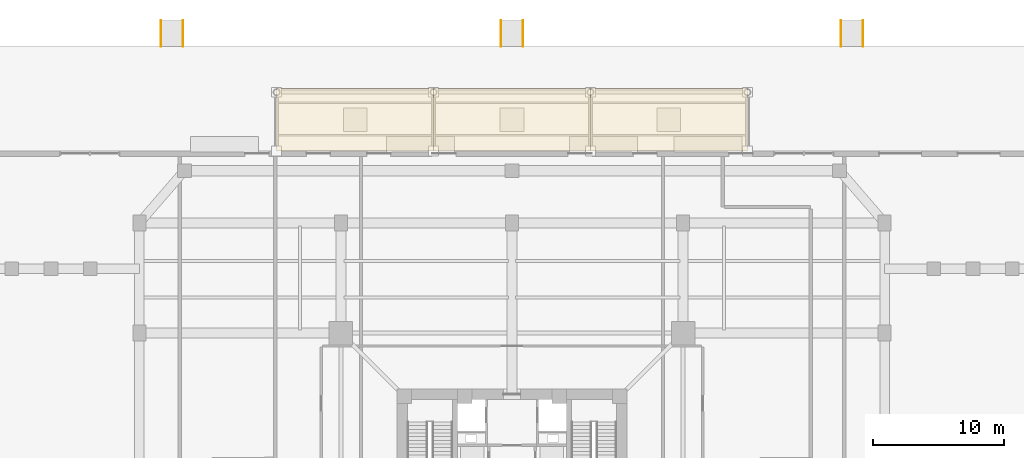
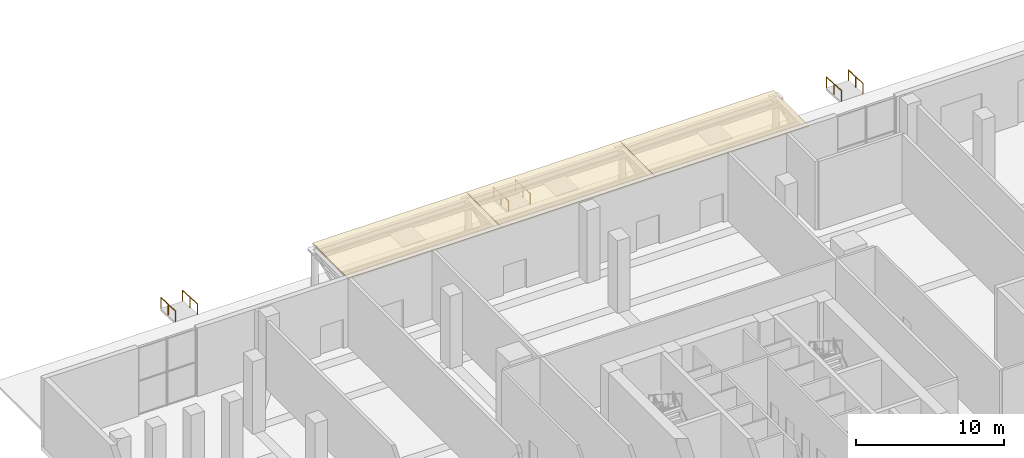
# One storey, part 24 of 25: 6 railings, 3 coverings.
"""IFC4 building model written with IfcOpenShell, lengths in metres."""

from ifc_helpers import new_model, si_unit, direction, frame, origin, origin_2d, place, context, subcontext, project, spatial, polyline, circle, outline, extrude, source, transform, mapped, material, layer, layer_set, type_object, element, save


model = new_model("IFC4")

# Units and contexts
model_context = context("Model", 3, precision=1e-05, world=origin(), true_north=direction((0.0, 1.0)))
body_context = subcontext(model_context, "Body", "Model", "MODEL_VIEW")
ifc_project = project(units=[si_unit("LENGTHUNIT", "METRE"), si_unit("AREAUNIT", "SQUARE_METRE"), si_unit("VOLUMEUNIT", "CUBIC_METRE"), si_unit("PLANEANGLEUNIT", "RADIAN"), si_unit("MASSUNIT", "GRAM", prefix="KILO"), si_unit("THERMODYNAMICTEMPERATUREUNIT", "KELVIN")], contexts=[model_context])

# Site, building, storey
site_placement = place(None, origin())
site = spatial("IfcSite", under=ifc_project, at=site_placement, CompositionType="ELEMENT")
building_placement = place(site_placement, origin())
building = spatial("IfcBuilding", under=site, at=building_placement, Name="Kosmvard Interchange Tower", CompositionType="ELEMENT")
storey_placement = place(building_placement, origin())
storey = spatial("IfcBuildingStorey", under=building, at=storey_placement, Name="L00", CompositionType="ELEMENT", Elevation=0.0)

# Coverings
ifc_material_1 = material(Name="Insulated EPDM roofing membrane")
ifc_layer = layer(ifc_material_1, 0.1201171875, Name="Insulated EPDM roofing membrane")
ifc_layer_set = layer_set([ifc_layer], Name="Insulated EPDM roofing membrane")
covering_type = type_object("IfcCoveringType", Name="Insulated EPDM Waterproof Roofing Membrane 120", PredefinedType="ROOFING", material=ifc_layer_set)
covering_1_placement = place(storey_placement, frame((0.0, 0.0, 5.22998046875)))
element("IfcCovering", 1, at=covering_1_placement, inside=storey, type_object=covering_type, Name="L00 Canopy Roof Membrane N1", PredefinedType="ROOFING", context=body_context, shape_type="SweptSolid", body=[
    extrude(outline(polyline([(-18.0, 27.0), (-6.0, 27.0), (-6.0, 31.800048828125), (-18.0, 31.800048828125), (-18.0, 27.0)])), origin(), (0.0, 0.0, 1.0), 0.1201171875),
])
covering_2_placement = place(storey_placement, frame((0.0, 0.0, 5.22998046875)))
element("IfcCovering", 2, at=covering_2_placement, inside=storey, type_object=covering_type, Name="L00 Canopy Roof Membrane N2", PredefinedType="ROOFING", context=body_context, shape_type="SweptSolid", body=[
    extrude(outline(polyline([(-6.0, 27.0), (6.0, 27.0), (6.0, 31.800048828125), (-6.0, 31.800048828125), (-6.0, 27.0)])), origin(), (0.0, 0.0, 1.0), 0.1201171875),
])
covering_3_placement = place(storey_placement, frame((0.0, 0.0, 5.22998046875)))
element("IfcCovering", 3, at=covering_3_placement, inside=storey, type_object=covering_type, Name="L00 Canopy Roof Membrane N3", PredefinedType="ROOFING", context=body_context, shape_type="SweptSolid", body=[
    extrude(outline(polyline([(6.0, 27.0), (18.0, 27.0), (18.0, 31.800048828125), (6.0, 31.800048828125), (6.0, 27.0)])), origin(), (0.0, 0.0, 1.0), 0.1201171875),
])

# Railings
ifc_material_2 = material(Name="Steel S355", Category="steel")
railing_type = type_object("IfcRailingType", Name="Wall-Mounted Stair Handrail 900 Steel", PredefinedType="HANDRAIL", material=ifc_material_2)
shared_shape = source(origin(), body_context, "Body", "SweptSolid", [
    extrude(circle(Radius=0.02392578125, at=origin_2d()), frame((0.0, 0.0, 0.8759765625), z_axis=(0.0, 0.99874990542, -0.049986262356), x_axis=(-1.0, 0.0, 0.0)), (0.0, 0.0, 1.0), 2.00244140625),
    extrude(circle(Radius=0.02099609375, at=origin_2d()), origin(), (0.0, 0.0, 1.0), 0.851806640625),
    extrude(circle(Radius=0.02099609375, at=origin_2d()), frame((0.0, 1.0, -0.050048828125)), (0.0, 0.0, 1.0), 0.851806640625),
    extrude(circle(Radius=0.02099609375, at=origin_2d()), frame((0.0, 2.0, -0.10009765625)), (0.0, 0.0, 1.0), 0.851806640625),
])
for number, where, name in (
    (4, (-26.85009765625, 35.0, 0.0), "L00 Ramp Handrail RMP-N1-L"),
    (5, (-25.14990234375, 35.0, 0.0), "L00 Ramp Handrail RMP-N1-R"),
    (6, (-0.85009765625, 35.0, 0.0), "L00 Ramp Handrail RMP-N2-L"),
    (7, (0.85009765625, 35.0, 0.0), "L00 Ramp Handrail RMP-N2-R"),
    (8, (25.14990234375, 35.0, 0.0), "L00 Ramp Handrail RMP-N3-L"),
    (9, (26.85009765625, 35.0, 0.0), "L00 Ramp Handrail RMP-N3-R"),
):
    element("IfcRailing", number, at=place(storey_placement, frame(where)), inside=storey, type_object=railing_type, Name=name, PredefinedType="HANDRAIL", context=body_context, shape_type="MappedRepresentation", body=[
        mapped(shared_shape, transform((0.0, 0.0, 0.0), scale=1.0)),
    ])

save(model, "model.ifc")
